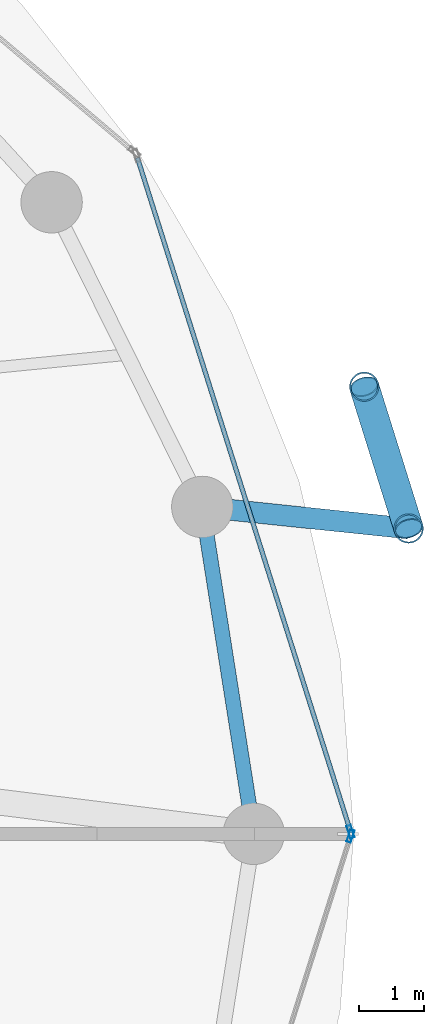
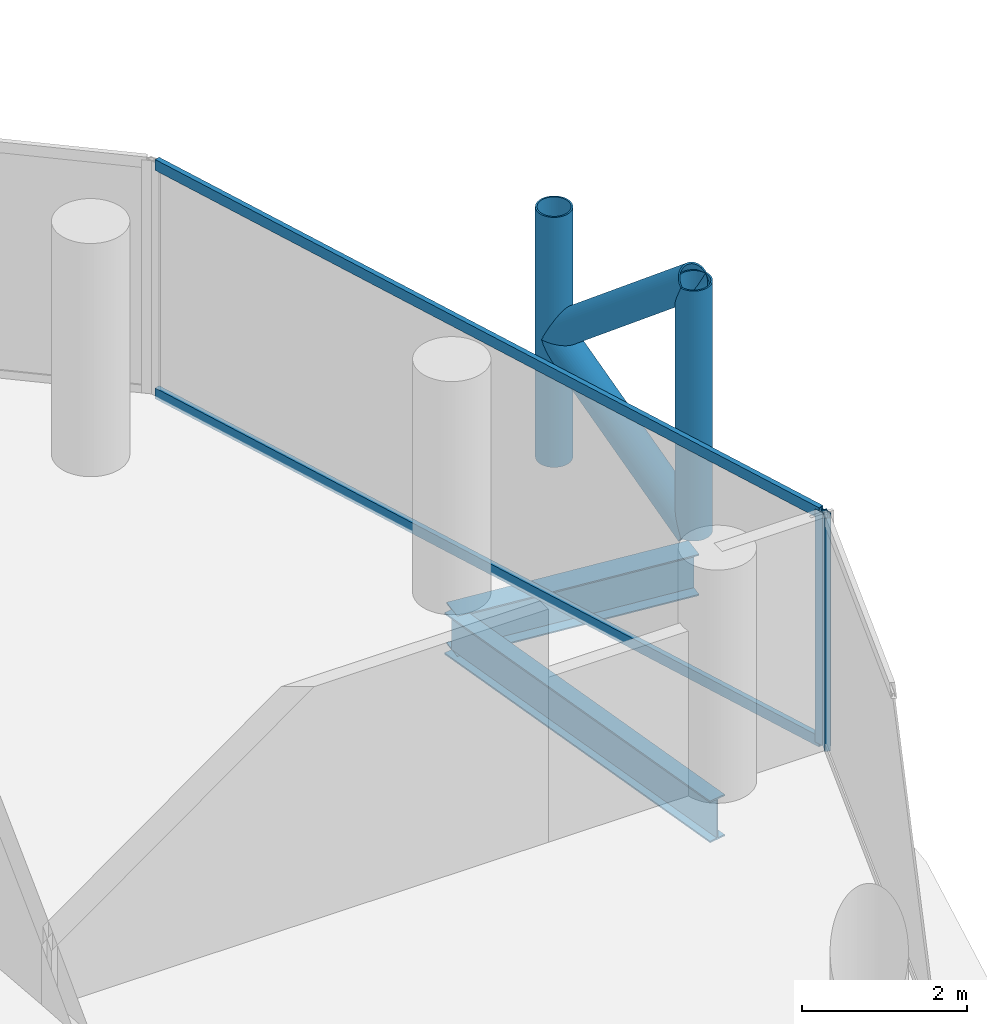
# One storey, part 12 of 27: 8 members, 2 beams, 2 elements without a shape of their own.
"""IFC4 building model written with IfcOpenShell, lengths in metres."""

from ifc_helpers import new_model, si_unit, direction, frame, origin, origin_2d, place, context, subcontext, project, spatial, hollow_rectangle, hollow_circle, i_section, extrude, material, layer, layer_set, material_profile, profile_set, type_object, element, aggregate, save


model = new_model("IFC4")

# Units and contexts
model_context = context("Model", 3, precision=1e-05, world=origin(), true_north=direction((0.0, 1.0)))
body_context = subcontext(model_context, "Body", "Model", "MODEL_VIEW")
ifc_project = project(units=[si_unit("LENGTHUNIT", "METRE"), si_unit("AREAUNIT", "SQUARE_METRE"), si_unit("VOLUMEUNIT", "CUBIC_METRE"), si_unit("PLANEANGLEUNIT", "RADIAN"), si_unit("MASSUNIT", "GRAM", prefix="KILO")], contexts=[model_context])

# Site, building, storey
site_placement = place(None, origin())
site = spatial("IfcSite", under=ifc_project, at=site_placement, CompositionType="ELEMENT")
building_placement = place(site_placement, origin())
building = spatial("IfcBuilding", under=site, at=building_placement, Name="Nuhasar Tower", CompositionType="ELEMENT")
storey_placement = place(building_placement, frame((0.0, 0.0, 158.949951171875)))
storey = spatial("IfcBuildingStorey", under=building, at=storey_placement, Name="L38", CompositionType="ELEMENT", Elevation=158.949951171875)

# Beams
ifc_material_1 = material(Name="Steel S355", Category="steel")
ifc_material_profile_1 = material_profile(ifc_material_1, i_section(OverallWidth=0.22998046875, OverallDepth=0.616943359375, WebThickness=0.01318359375, FlangeThickness=0.022216796875, at=origin_2d()), Name="W24X94")
ifc_profile_set_1 = profile_set([ifc_material_profile_1], Name="Steel S355")
beam_type_1 = type_object("IfcBeamType", Name="BM-RING-W24X94", PredefinedType="SPANDREL", material=ifc_profile_set_1)
beam_1_placement = place(storey_placement, frame((62.35009765625, 26.800048828125, -0.558837890625), z_axis=(-0.155426543608, 0.987847452566, 0.0), x_axis=(-0.987847452566, -0.155426543608, 0.0)))
element("IfcBeam", 1, at=beam_1_placement, inside=storey, type_object=beam_type_1, Name="L38 Perimeter Ring Spandrel 01", PredefinedType="SPANDREL", context=body_context, shape_type="SweptSolid", body=[
    extrude(i_section(OverallWidth=0.22998046875, OverallDepth=0.616943359375, WebThickness=0.01318359375, FlangeThickness=0.022216796875, at=origin_2d()), origin(), (0.0, 0.0, 1.0), 5.122314453125),
])
ifc_material_profile_2 = material_profile(ifc_material_1, i_section(OverallWidth=0.323974609375, OverallDepth=0.611083984375, WebThickness=0.0126953125, FlangeThickness=0.01904296875, at=origin_2d()), Name="W24X104")
ifc_profile_set_2 = profile_set([ifc_material_profile_2], Name="Steel S355")
beam_type_2 = type_object("IfcBeamType", Name="BM-TIE-W24X104", PredefinedType="BEAM", material=ifc_profile_set_2)
beam_2_placement = place(storey_placement, frame((61.553955078125, 31.860107421875, -0.555908203125), z_axis=(0.994569828715, -0.104071397654, 0.0), x_axis=(0.104071397654, 0.994569828715, 0.0)))
element("IfcBeam", 2, at=beam_2_placement, inside=storey, type_object=beam_type_2, Name="L38 Exoskeleton Node Tie Beam 01", PredefinedType="BEAM", context=body_context, shape_type="SweptSolid", body=[
    extrude(i_section(OverallWidth=0.323974609375, OverallDepth=0.611083984375, WebThickness=0.0126953125, FlangeThickness=0.01904296875, at=origin_2d()), origin(), (0.0, 0.0, 1.0), 3.21142578125),
])

# Curtain wall, member
ifc_material_2 = material(Name="Aluminium 6063-T6", Category="aluminium")
ifc_layer = layer(ifc_material_2, 0.199951171875)
ifc_layer_set = layer_set([ifc_layer], Name="Aluminium 6063-T6")
curtain_wall_type = type_object("IfcCurtainWallType", Name="CW-Z2-HTL", PredefinedType="NOTDEFINED", material=ifc_layer_set)
curtain_wall_1_placement = place(storey_placement, origin())
curtain_wall_1 = element("IfcCurtainWall", 3, at=curtain_wall_1_placement, inside=storey, type_object=curtain_wall_type, Name="L38 Unitised Curtain Wall 01", PredefinedType="NOTDEFINED")
ifc_material_profile_3 = material_profile(ifc_material_2, hollow_rectangle(XDim=0.070068359375, YDim=0.199951171875, WallThickness=0.0048828125, at=origin_2d()), Name="CWM-3")
ifc_profile_set_3 = profile_set([ifc_material_profile_3], Name="Aluminium 6063-T6")
member_type_1 = type_object("IfcMemberType", Name="CW-MUL-S3", PredefinedType="MULLION", material=ifc_profile_set_3)
member_1_placement = place(storey_placement, frame((63.849365234375, 26.833251953125, 0.0), z_axis=(0.0, 0.0, 1.0), x_axis=(-0.953433389233, -0.301603667577, 0.0)))
member_1 = element("IfcMember", 4, at=member_1_placement, type_object=member_type_1, Name="CW-Z2 mullion 1", PredefinedType="MULLION", context=body_context, shape_type="SweptSolid", body=[
    extrude(hollow_rectangle(XDim=0.070068359375, YDim=0.199951171875, WallThickness=0.0048828125, at=origin_2d()), origin(), (0.0, 0.0, 1.0), 3.449951171875),
])

curtain_wall_2_placement = place(storey_placement, origin())
curtain_wall_2 = element("IfcCurtainWall", 5, at=curtain_wall_2_placement, inside=storey, type_object=curtain_wall_type, Name="L38 Unitised Curtain Wall 12", PredefinedType="NOTDEFINED")
member_2_placement = place(storey_placement, frame((63.849365234375, 26.7666015625, 0.0), z_axis=(0.0, 0.0, 1.0), x_axis=(-0.953433389233, 0.301603667577, 0.0)))
member_2 = element("IfcMember", 6, at=member_2_placement, type_object=member_type_1, Name="CW-Z2 mullion 2", PredefinedType="MULLION", context=body_context, shape_type="SweptSolid", body=[
    extrude(hollow_rectangle(XDim=0.070068359375, YDim=0.199951171875, WallThickness=0.0048828125, at=origin_2d()), origin(), (0.0, 0.0, 1.0), 3.449951171875),
])
aggregate(curtain_wall_2, [member_2])

# Member
ifc_material_profile_4 = material_profile(ifc_material_2, hollow_rectangle(XDim=0.070068359375, YDim=0.159912109375, WallThickness=0.00439453125, at=origin_2d()), Name="CWT-3")
ifc_profile_set_4 = profile_set([ifc_material_profile_4], Name="Aluminium 6063-T6")
member_type_2 = type_object("IfcMemberType", Name="CW-TRN-S3", PredefinedType="USERDEFINED", material=ifc_profile_set_4)
member_3_placement = place(storey_placement, frame((63.8388671875, 26.86669921875, 0.03515625), z_axis=(-0.301608163352, 0.953431967053, 0.0), x_axis=(-0.953431967053, -0.301608163352, 0.0)))
member_3 = element("IfcMember", 7, at=member_3_placement, type_object=member_type_2, Name="CW-Z2 transom 1.1", ObjectType="TRANSOM", PredefinedType="USERDEFINED", context=body_context, shape_type="SweptSolid", body=[
    extrude(hollow_rectangle(XDim=0.070068359375, YDim=0.159912109375, WallThickness=0.00439453125, at=origin_2d()), origin(), (0.0, 0.0, 1.0), 10.904296875),
])

member_4_placement = place(storey_placement, frame((63.8388671875, 26.86669921875, 3.4150390625), z_axis=(-0.301608163352, 0.953431967053, 0.0), x_axis=(-0.953431967053, -0.301608163352, 0.0)))
member_4 = element("IfcMember", 8, at=member_4_placement, type_object=member_type_2, Name="CW-Z2 transom 1.2", ObjectType="TRANSOM", PredefinedType="USERDEFINED", context=body_context, shape_type="SweptSolid", body=[
    extrude(hollow_rectangle(XDim=0.070068359375, YDim=0.159912109375, WallThickness=0.00439453125, at=origin_2d()), origin(), (0.0, 0.0, 1.0), 10.904296875),
])

aggregate(curtain_wall_1, [member_1, member_3, member_4])

# Members
ifc_material_3 = material(Name="Steel S460", Category="steel")
ifc_material_profile_5 = material_profile(ifc_material_3, hollow_circle(Radius=0.228515625, WallThickness=0.022216796875, at=origin_2d()), Name="HSS457X22.2")
ifc_profile_set_5 = profile_set([ifc_material_profile_5], Name="Steel S460")
member_type_3 = type_object("IfcMemberType", Name="EXO-BRONZE-457", PredefinedType="BRACE", material=ifc_profile_set_5)
for number, where, z_axis, x_axis, name in (
    (9, (64.748046875, 31.52587890625, 0.0), (0.0, 0.0, 1.0), (1.0, 0.0, 0.0), "L38 Exoskeleton Chord Column EC-01A"),
    (10, (64.06005859375, 33.720947265625, 0.0), (0.0, 0.0, 1.0), (1.0, 0.0, 0.0), "L38 Exoskeleton Chord Column EC-01B"),
):
    element("IfcMember", number, at=place(storey_placement, frame(where, z_axis=z_axis, x_axis=x_axis)), inside=storey, type_object=member_type_3, Name=name, PredefinedType="BRACE", context=body_context, shape_type="SweptSolid", body=[
        extrude(hollow_circle(Radius=0.228515625, WallThickness=0.022216796875, at=origin_2d()), origin(), (0.0, 0.0, 1.0), 3.699951171875),
    ])
member_5_placement = place(storey_placement, frame((64.748046875, 31.52587890625, 0.0), z_axis=(-0.233055548538, 0.743577869731, 0.626719285599), x_axis=(-0.954228474306, -0.29907861646, 0.0)))
element("IfcMember", 11, at=member_5_placement, inside=storey, type_object=member_type_3, Name="L38 Bronze Diagrid Brace W1-01", PredefinedType="BRACE", context=body_context, shape_type="SweptSolid", body=[
    extrude(hollow_circle(Radius=0.228515625, WallThickness=0.022216796875, at=origin_2d()), origin(), (0.0, 0.0, 1.0), 2.9521484375),
])
member_6_placement = place(storey_placement, frame((64.06005859375, 33.720947265625, 1.85009765625), z_axis=(0.233067628236, -0.74361641074, 0.626669062861), x_axis=(0.954228474306, 0.29907861646, 0.0)))
element("IfcMember", 12, at=member_6_placement, inside=storey, type_object=member_type_3, Name="L38 Bronze Diagrid Brace W2-01", PredefinedType="BRACE", context=body_context, shape_type="SweptSolid", body=[
    extrude(hollow_circle(Radius=0.228515625, WallThickness=0.022216796875, at=origin_2d()), origin(), (0.0, 0.0, 1.0), 2.951904296875),
])

save(model, "model.ifc")
